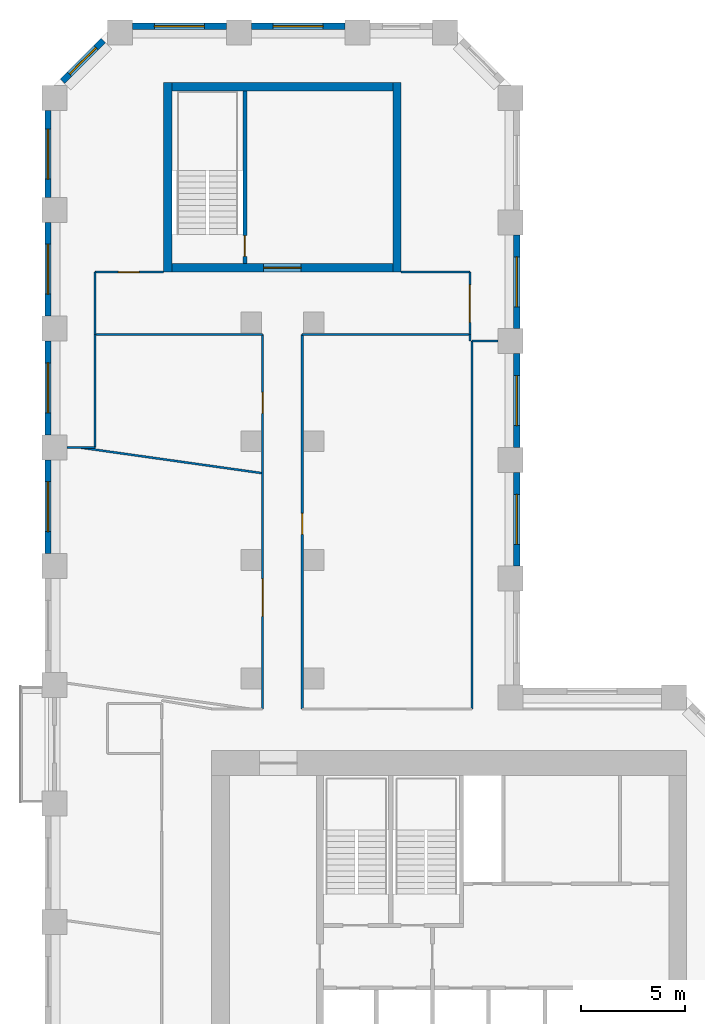
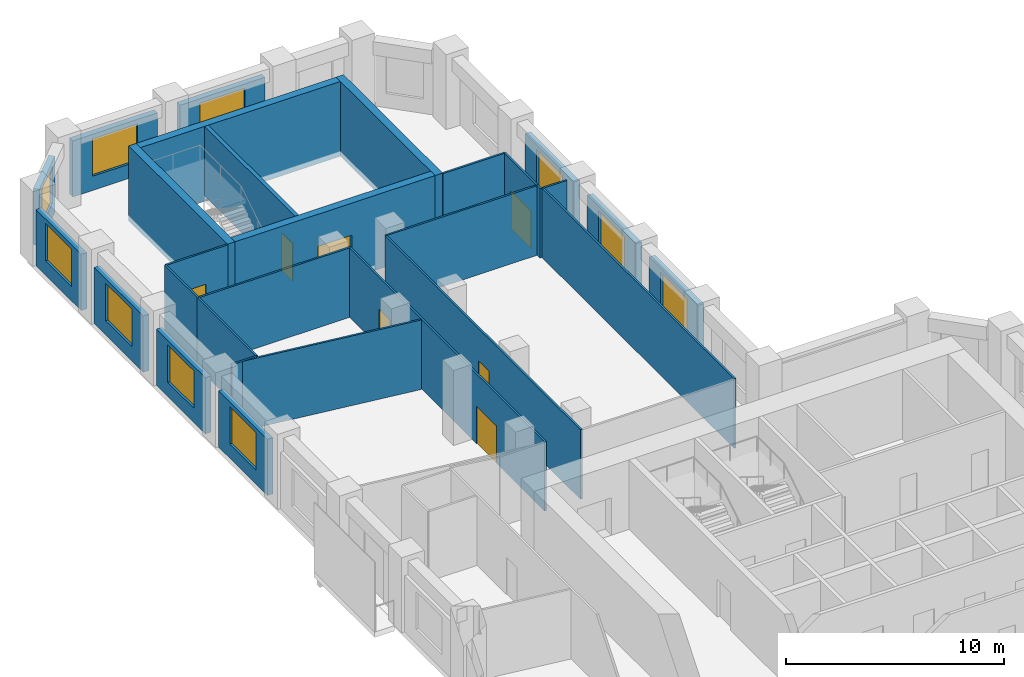
# One storey, part 8 of 10: 29 walls, 10 windows, 7 doors, 17 openings.
"""IFC4 building model written with IfcOpenShell, lengths in metres."""

from ifc_helpers import new_model, si_unit, direction, frame, frame_2d, origin, place, context, subcontext, project, spatial, rectangle, extrude, material, layer, layer_set, type_object, element, fill, save


model = new_model("IFC4")

# Units and contexts
model_context = context("Model", 3, precision=1e-05, world=origin(), true_north=direction((0.0, 1.0)))
body_context = subcontext(model_context, "Body", "Model", "MODEL_VIEW")
ifc_project = project(units=[si_unit("LENGTHUNIT", "METRE"), si_unit("AREAUNIT", "SQUARE_METRE"), si_unit("VOLUMEUNIT", "CUBIC_METRE"), si_unit("PLANEANGLEUNIT", "RADIAN"), si_unit("MASSUNIT", "GRAM", prefix="KILO")], contexts=[model_context])

# Site, building, storey
site_placement = place(None, origin())
site = spatial("IfcSite", under=ifc_project, at=site_placement, CompositionType="ELEMENT")
building_placement = place(site_placement, origin())
building = spatial("IfcBuilding", under=site, at=building_placement, Name="Meshkara Civic Tower", CompositionType="ELEMENT")
storey_placement = place(building_placement, frame((0.0, 0.0, 190.800048828125)))
storey = spatial("IfcBuildingStorey", under=building, at=storey_placement, Name="L43", CompositionType="ELEMENT", Elevation=190.800048828125)

# Walls
ifc_material_1 = material(Name="Corridor wall 100")
ifc_layer_1 = layer(ifc_material_1, 0.10009765625)
ifc_layer_set_1 = layer_set([ifc_layer_1], Name="Corridor wall 100")
wall_type_1 = type_object("IfcWallType", Name="Corridor wall 100", PredefinedType="PARTITIONING", material=ifc_layer_set_1)
wall_1_placement = place(storey_placement, frame((2.39990234375, 56.8701171875, 0.0), z_axis=(0.0, 0.0, 1.0), x_axis=(1.0, 0.0, 0.0)))
element("IfcWall", 1, at=wall_1_placement, inside=storey, type_object=wall_type_1, Name="L43-W001", PredefinedType="PARTITIONING", context=body_context, shape_type="SweptSolid", body=[
    extrude(rectangle(XDim=8.050048828125, YDim=0.10009765625, at=frame_2d((4.02490234375, 0.0))), origin(), (0.0, 0.0, 1.0), 3.89990234375),
])
wall_2_placement = place(storey_placement, frame((2.39990234375, 59.8701171875, 0.0), z_axis=(0.0, 0.0, 1.0), x_axis=(0.0, -1.0, 0.0)))
element("IfcWall", 2, at=wall_2_placement, inside=storey, type_object=wall_type_1, Name="L43-W002", PredefinedType="PARTITIONING", context=body_context, shape_type="SweptSolid", body=[
    extrude(rectangle(XDim=3.0, YDim=0.10009765625, at=frame_2d((1.5, 0.0))), origin(), (0.0, 0.0, 1.0), 3.89990234375),
])

# Wall, opening, door
wall_3_placement = place(storey_placement, frame((5.699951171875, 59.8701171875, 0.0), z_axis=(0.0, 0.0, 1.0), x_axis=(-1.0, 0.0, 0.0)))
wall_3 = element("IfcWall", 3, at=wall_3_placement, inside=storey, type_object=wall_type_1, Name="L43-W005", PredefinedType="PARTITIONING", context=body_context, shape_type="SweptSolid", body=[
    extrude(rectangle(XDim=3.300048828125, YDim=0.10009765625, at=frame_2d((1.64990234375, 0.0))), origin(), (0.0, 0.0, 1.0), 3.89990234375),
])
opening_1_placement = place(wall_3_placement, frame((1.179931640625, 0.0, 0.0)))
opening_1 = element("IfcOpeningElement", 4, at=opening_1_placement, cuts=wall_3, Name="Opening L43-D021", PredefinedType="OPENING", context=body_context, shape_type="SweptSolid", body=[
    extrude(rectangle(XDim=1.0, YDim=2.10009765625, at=frame_2d((0.5, 1.050048828125))), frame((0.0, 0.06005859375, 0.0), z_axis=(0.0, -1.0, 0.0), x_axis=(1.0, 0.0, 0.0)), (0.0, 0.0, 1.0), 0.1201171875),
])
ifc_material_2 = material(Name="Door 1000 x 2100")
door_type_1 = type_object("IfcDoorType", Name="Door 1000 x 2100", OperationType="SINGLE_SWING_LEFT", PredefinedType="DOOR", material=ifc_material_2)
door_1_placement = place(opening_1_placement, origin())
door_1 = element("IfcDoor", 5, at=door_1_placement, inside=storey, type_object=door_type_1, Name="L43-D021", OperationType="SINGLE_SWING_LEFT", OverallHeight=2.10009765625, OverallWidth=1.0, PredefinedType="DOOR", context=body_context, shape_type="SweptSolid", body=[
    extrude(rectangle(XDim=1.0, YDim=2.10009765625, at=frame_2d((0.5, 1.050048828125))), frame((0.0, 0.02490234375, 0.0), z_axis=(0.0, -1.0, 0.0), x_axis=(1.0, 0.0, 0.0)), (0.0, 0.0, 1.0), 0.050048828125),
])
fill(opening_1, door_1)

# Wall, openings, doors
wall_4_placement = place(storey_placement, frame((10.449951171875, 56.8701171875, 0.0), z_axis=(0.0, 0.0, 1.0), x_axis=(0.0, -1.0, 0.0)))
wall_4 = element("IfcWall", 6, at=wall_4_placement, inside=storey, type_object=wall_type_1, Name="L43-W013", PredefinedType="PARTITIONING", context=body_context, shape_type="SweptSolid", body=[
    extrude(rectangle(XDim=17.97021484375, YDim=0.10009765625, at=frame_2d((8.985107421875, 0.0))), origin(), (0.0, 0.0, 1.0), 3.89990234375),
])
opening_2_placement = place(wall_4_placement, frame((11.73095703125, 0.0, 0.0)))
opening_2 = element("IfcOpeningElement", 7, at=opening_2_placement, cuts=wall_4, Name="Opening L43-D018", PredefinedType="OPENING", context=body_context, shape_type="SweptSolid", body=[
    extrude(rectangle(XDim=1.800048828125, YDim=2.10009765625, at=frame_2d((0.89990234375, 1.050048828125))), frame((0.0, 0.06005859375, 0.0), z_axis=(0.0, -1.0, 0.0), x_axis=(1.0, 0.0, 0.0)), (0.0, 0.0, 1.0), 0.1201171875),
])
opening_3_placement = place(wall_4_placement, frame((2.780029296875, 0.0, 0.0)))
opening_3 = element("IfcOpeningElement", 8, at=opening_3_placement, cuts=wall_4, Name="Opening L43-D020", PredefinedType="OPENING", context=body_context, shape_type="SweptSolid", body=[
    extrude(rectangle(XDim=1.0, YDim=2.10009765625, at=frame_2d((0.5, 1.050048828125))), frame((0.0, 0.06005859375, 0.0), z_axis=(0.0, -1.0, 0.0), x_axis=(1.0, 0.0, 0.0)), (0.0, 0.0, 1.0), 0.1201171875),
])
door_2_placement = place(opening_3_placement, origin())
door_2 = element("IfcDoor", 9, at=door_2_placement, inside=storey, type_object=door_type_1, Name="L43-D020", OperationType="SINGLE_SWING_RIGHT", OverallHeight=2.10009765625, OverallWidth=1.0, PredefinedType="DOOR", context=body_context, shape_type="SweptSolid", body=[
    extrude(rectangle(XDim=1.0, YDim=2.10009765625, at=frame_2d((0.5, 1.050048828125))), frame((0.0, 0.02490234375, 0.0), z_axis=(0.0, -1.0, 0.0), x_axis=(1.0, 0.0, 0.0)), (0.0, 0.0, 1.0), 0.050048828125),
])
fill(opening_3, door_2)
ifc_material_3 = material(Name="Door pair 1800 x 2100")
door_type_2 = type_object("IfcDoorType", Name="Door pair 1800 x 2100", OperationType="SINGLE_SWING_LEFT", PredefinedType="DOOR", material=ifc_material_3)
door_3_placement = place(opening_2_placement, origin())
door_3 = element("IfcDoor", 10, at=door_3_placement, inside=storey, type_object=door_type_2, Name="L43-D018", OperationType="DOUBLE_DOOR_SINGLE_SWING", OverallHeight=2.10009765625, OverallWidth=1.800048828125, PredefinedType="DOOR", context=body_context, shape_type="SweptSolid", body=[
    extrude(rectangle(XDim=1.800048828125, YDim=2.10009765625, at=frame_2d((0.89990234375, 1.050048828125))), frame((0.0, 0.02490234375, 0.0), z_axis=(0.0, -1.0, 0.0), x_axis=(1.0, 0.0, 0.0)), (0.0, 0.0, 1.0), 0.050048828125),
])
fill(opening_2, door_3)

# Wall, opening, door
wall_5_placement = place(storey_placement, frame((12.35009765625, 38.89990234375, 0.0), z_axis=(0.0, 0.0, 1.0), x_axis=(0.0, 1.0, 0.0)))
wall_5 = element("IfcWall", 11, at=wall_5_placement, inside=storey, type_object=wall_type_1, Name="L43-W014", PredefinedType="PARTITIONING", context=body_context, shape_type="SweptSolid", body=[
    extrude(rectangle(XDim=17.97021484375, YDim=0.10009765625, at=frame_2d((8.985107421875, 0.0))), origin(), (0.0, 0.0, 1.0), 3.89990234375),
])
opening_4_placement = place(wall_5_placement, frame((8.3798828125, 0.0, 0.0)))
opening_4 = element("IfcOpeningElement", 12, at=opening_4_placement, cuts=wall_5, Name="Opening L43-D019", PredefinedType="OPENING", context=body_context, shape_type="SweptSolid", body=[
    extrude(rectangle(XDim=1.0, YDim=2.10009765625, at=frame_2d((0.5, 1.050048828125))), frame((0.0, 0.06005859375, 0.0), z_axis=(0.0, -1.0, 0.0), x_axis=(1.0, 0.0, 0.0)), (0.0, 0.0, 1.0), 0.1201171875),
])
door_4_placement = place(opening_4_placement, origin())
door_4 = element("IfcDoor", 13, at=door_4_placement, inside=storey, type_object=door_type_1, Name="L43-D019", OperationType="SINGLE_SWING_RIGHT", OverallHeight=2.10009765625, OverallWidth=1.0, PredefinedType="DOOR", context=body_context, shape_type="SweptSolid", body=[
    extrude(rectangle(XDim=1.0, YDim=2.10009765625, at=frame_2d((0.5, 1.050048828125))), frame((0.0, 0.02490234375, 0.0), z_axis=(0.0, -1.0, 0.0), x_axis=(1.0, 0.0, 0.0)), (0.0, 0.0, 1.0), 0.050048828125),
])
fill(opening_4, door_4)

# Wall
wall_6_placement = place(storey_placement, frame((12.35009765625, 56.8701171875, 0.0), z_axis=(0.0, 0.0, 1.0), x_axis=(1.0, 0.0, 0.0)))
element("IfcWall", 14, at=wall_6_placement, inside=storey, type_object=wall_type_1, Name="L43-W015", PredefinedType="PARTITIONING", context=body_context, shape_type="SweptSolid", body=[
    extrude(rectangle(XDim=8.0498046875, YDim=0.10009765625, at=frame_2d((4.02490234375, 0.0))), origin(), (0.0, 0.0, 1.0), 3.89990234375),
])

# Wall, opening, door
wall_7_placement = place(storey_placement, frame((20.39990234375, 56.8701171875, 0.0), z_axis=(0.0, 0.0, 1.0), x_axis=(0.0, 1.0, 0.0)))
wall_7 = element("IfcWall", 15, at=wall_7_placement, inside=storey, type_object=wall_type_1, Name="L43-W017", PredefinedType="PARTITIONING", context=body_context, shape_type="SweptSolid", body=[
    extrude(rectangle(XDim=3.0, YDim=0.10009765625, at=frame_2d((1.5, 0.0))), origin(), (0.0, 0.0, 1.0), 3.89990234375),
])
opening_5_placement = place(wall_7_placement, frame((0.580078125, 0.0, 0.0)))
opening_5 = element("IfcOpeningElement", 16, at=opening_5_placement, cuts=wall_7, Name="Opening L43-D022", PredefinedType="OPENING", context=body_context, shape_type="SweptSolid", body=[
    extrude(rectangle(XDim=1.800048828125, YDim=2.10009765625, at=frame_2d((0.89990234375, 1.050048828125))), frame((0.0, 0.06005859375, 0.0), z_axis=(0.0, -1.0, 0.0), x_axis=(1.0, 0.0, 0.0)), (0.0, 0.0, 1.0), 0.1201171875),
])
door_5_placement = place(opening_5_placement, origin())
door_5 = element("IfcDoor", 17, at=door_5_placement, inside=storey, type_object=door_type_2, Name="L43-D022", OperationType="DOUBLE_DOOR_SINGLE_SWING", OverallHeight=2.10009765625, OverallWidth=1.800048828125, PredefinedType="DOOR", context=body_context, shape_type="SweptSolid", body=[
    extrude(rectangle(XDim=1.800048828125, YDim=2.10009765625, at=frame_2d((0.89990234375, 1.050048828125))), frame((0.0, 0.02490234375, 0.0), z_axis=(0.0, -1.0, 0.0), x_axis=(1.0, 0.0, 0.0)), (0.0, 0.0, 1.0), 0.050048828125),
])
fill(opening_5, door_5)

# Walls
wall_8_placement = place(storey_placement, frame((20.39990234375, 59.8701171875, 0.0), z_axis=(0.0, 0.0, 1.0), x_axis=(-1.0, 0.0, 0.0)))
element("IfcWall", 18, at=wall_8_placement, inside=storey, type_object=wall_type_1, Name="L43-W018", PredefinedType="PARTITIONING", context=body_context, shape_type="SweptSolid", body=[
    extrude(rectangle(XDim=3.2998046875, YDim=0.10009765625, at=frame_2d((1.64990234375, 0.0))), origin(), (0.0, 0.0, 1.0), 3.89990234375),
])
wall_9_placement = place(storey_placement, frame((20.5, 56.550048828125, 0.0), z_axis=(0.0, 0.0, 1.0), x_axis=(0.0, -1.0, 0.0)))
element("IfcWall", 19, at=wall_9_placement, inside=storey, type_object=wall_type_1, Name="L43-W020", PredefinedType="PARTITIONING", context=body_context, shape_type="SweptSolid", body=[
    extrude(rectangle(XDim=17.650146484375, YDim=0.10009765625, at=frame_2d((8.8251953125, 0.0))), origin(), (0.0, 0.0, 1.0), 3.89990234375),
])
wall_10_placement = place(storey_placement, frame((21.75, 56.550048828125, 0.0), z_axis=(0.0, 0.0, 1.0), x_axis=(-1.0, 0.0, 0.0)))
element("IfcWall", 20, at=wall_10_placement, inside=storey, type_object=wall_type_1, Name="L43-W021", PredefinedType="PARTITIONING", context=body_context, shape_type="SweptSolid", body=[
    extrude(rectangle(XDim=1.25, YDim=0.10009765625, at=frame_2d((0.625, 0.0))), origin(), (0.0, 0.0, 1.0), 3.89990234375),
])

# Wall, opening, window
ifc_material_4 = material(Name="Insulated infill panel with bronze anodised aluminium cladding", Category="aluminium")
ifc_layer_2 = layer(ifc_material_4, 0.300048828125)
ifc_layer_set_2 = layer_set([ifc_layer_2], Name="EXTERNAL INFILL WALL 300")
wall_type_2 = type_object("IfcWallType", Name="EXTERNAL INFILL WALL 300", PredefinedType="SOLIDWALL", material=ifc_layer_set_2)
wall_11_placement = place(storey_placement, frame((22.64990234375, 45.75, 0.0), z_axis=(0.0, 0.0, 1.0), x_axis=(0.0, 1.0, 0.0)))
wall_11 = element("IfcWall", 21, at=wall_11_placement, inside=storey, type_object=wall_type_2, Name="External wall", PredefinedType="SOLIDWALL", context=body_context, shape_type="SweptSolid", body=[
    extrude(rectangle(XDim=4.5, YDim=0.300048828125, at=frame_2d((2.25, 0.0))), origin(), (0.0, 0.0, 1.0), 3.14990234375),
])
opening_6_placement = place(wall_11_placement, frame((1.050048828125, 0.0, 0.800048828125)))
opening_6 = element("IfcOpeningElement", 22, at=opening_6_placement, cuts=wall_11, Name="Opening W7", PredefinedType="OPENING", context=body_context, shape_type="SweptSolid", body=[
    extrude(rectangle(XDim=2.39990234375, YDim=2.10009765625, at=frame_2d((1.199951171875, 1.050048828125))), frame((0.0, 0.159912109375, 0.0), z_axis=(0.0, -1.0, 0.0), x_axis=(1.0, 0.0, 0.0)), (0.0, 0.0, 1.0), 0.320068359375),
])
ifc_material_5 = material(Name="Tinted double glazing", Category="glass")
window_type_1 = type_object("IfcWindowType", Name="WINDOW 2400x2100", PartitioningType="DOUBLE_PANEL_VERTICAL", PredefinedType="WINDOW", material=ifc_material_5)
window_1_placement = place(opening_6_placement, origin())
window_1 = element("IfcWindow", 23, at=window_1_placement, inside=storey, type_object=window_type_1, Name="Window", OverallHeight=2.10009765625, OverallWidth=2.39990234375, PartitioningType="DOUBLE_PANEL_VERTICAL", PredefinedType="WINDOW", context=body_context, shape_type="SweptSolid", body=[
    extrude(rectangle(XDim=2.39990234375, YDim=2.10009765625, at=frame_2d((1.199951171875, 1.050048828125))), frame((0.0, 0.030029296875, 0.0), z_axis=(0.0, -1.0, 0.0), x_axis=(1.0, 0.0, 0.0)), (0.0, 0.0, 1.0), 0.06005859375),
])
fill(opening_6, window_1)

wall_12_placement = place(storey_placement, frame((22.64990234375, 51.449951171875, 0.0), z_axis=(0.0, 0.0, 1.0), x_axis=(0.0, 1.0, 0.0)))
wall_12 = element("IfcWall", 24, at=wall_12_placement, inside=storey, type_object=wall_type_2, Name="External wall", PredefinedType="SOLIDWALL", context=body_context, shape_type="SweptSolid", body=[
    extrude(rectangle(XDim=4.5, YDim=0.300048828125, at=frame_2d((2.25, 0.0))), origin(), (0.0, 0.0, 1.0), 3.14990234375),
])
opening_7_placement = place(wall_12_placement, frame((1.050048828125, 0.0, 0.800048828125)))
opening_7 = element("IfcOpeningElement", 25, at=opening_7_placement, cuts=wall_12, Name="Opening W7", PredefinedType="OPENING", context=body_context, shape_type="SweptSolid", body=[
    extrude(rectangle(XDim=2.39990234375, YDim=2.10009765625, at=frame_2d((1.199951171875, 1.050048828125))), frame((0.0, 0.159912109375, 0.0), z_axis=(0.0, -1.0, 0.0), x_axis=(1.0, 0.0, 0.0)), (0.0, 0.0, 1.0), 0.320068359375),
])
window_2_placement = place(opening_7_placement, origin())
window_2 = element("IfcWindow", 26, at=window_2_placement, inside=storey, type_object=window_type_1, Name="Window", OverallHeight=2.10009765625, OverallWidth=2.39990234375, PartitioningType="DOUBLE_PANEL_VERTICAL", PredefinedType="WINDOW", context=body_context, shape_type="SweptSolid", body=[
    extrude(rectangle(XDim=2.39990234375, YDim=2.10009765625, at=frame_2d((1.199951171875, 1.050048828125))), frame((0.0, 0.030029296875, 0.0), z_axis=(0.0, -1.0, 0.0), x_axis=(1.0, 0.0, 0.0)), (0.0, 0.0, 1.0), 0.06005859375),
])
fill(opening_7, window_2)

wall_13_placement = place(storey_placement, frame((22.64990234375, 57.14990234375, 0.0), z_axis=(0.0, 0.0, 1.0), x_axis=(0.0, 1.0, 0.0)))
wall_13 = element("IfcWall", 27, at=wall_13_placement, inside=storey, type_object=wall_type_2, Name="External wall", PredefinedType="SOLIDWALL", context=body_context, shape_type="SweptSolid", body=[
    extrude(rectangle(XDim=4.5, YDim=0.300048828125, at=frame_2d((2.25, 0.0))), origin(), (0.0, 0.0, 1.0), 3.14990234375),
])
opening_8_placement = place(wall_13_placement, frame((1.050048828125, 0.0, 0.800048828125)))
opening_8 = element("IfcOpeningElement", 28, at=opening_8_placement, cuts=wall_13, Name="Opening W7", PredefinedType="OPENING", context=body_context, shape_type="SweptSolid", body=[
    extrude(rectangle(XDim=2.39990234375, YDim=2.10009765625, at=frame_2d((1.199951171875, 1.050048828125))), frame((0.0, 0.159912109375, 0.0), z_axis=(0.0, -1.0, 0.0), x_axis=(1.0, 0.0, 0.0)), (0.0, 0.0, 1.0), 0.320068359375),
])
window_3_placement = place(opening_8_placement, origin())
window_3 = element("IfcWindow", 29, at=window_3_placement, inside=storey, type_object=window_type_1, Name="Window", OverallHeight=2.10009765625, OverallWidth=2.39990234375, PartitioningType="DOUBLE_PANEL_VERTICAL", PredefinedType="WINDOW", context=body_context, shape_type="SweptSolid", body=[
    extrude(rectangle(XDim=2.39990234375, YDim=2.10009765625, at=frame_2d((1.199951171875, 1.050048828125))), frame((0.0, 0.030029296875, 0.0), z_axis=(0.0, -1.0, 0.0), x_axis=(1.0, 0.0, 0.0)), (0.0, 0.0, 1.0), 0.06005859375),
])
fill(opening_8, window_3)

wall_14_placement = place(storey_placement, frame((14.406005859375, 71.669921875, 0.0), z_axis=(0.0, 0.0, 1.0), x_axis=(-1.0, 0.0, 0.0)))
wall_14 = element("IfcWall", 30, at=wall_14_placement, inside=storey, type_object=wall_type_2, Name="External wall", PredefinedType="SOLIDWALL", context=body_context, shape_type="SweptSolid", body=[
    extrude(rectangle(XDim=4.5, YDim=0.300048828125, at=frame_2d((2.25, 0.0))), origin(), (0.0, 0.0, 1.0), 3.14990234375),
])
opening_9_placement = place(wall_14_placement, frame((1.050048828125, 0.0, 0.800048828125)))
opening_9 = element("IfcOpeningElement", 31, at=opening_9_placement, cuts=wall_14, Name="Opening W7", PredefinedType="OPENING", context=body_context, shape_type="SweptSolid", body=[
    extrude(rectangle(XDim=2.39990234375, YDim=2.10009765625, at=frame_2d((1.199951171875, 1.050048828125))), frame((0.0, 0.159912109375, 0.0), z_axis=(0.0, -1.0, 0.0), x_axis=(1.0, 0.0, 0.0)), (0.0, 0.0, 1.0), 0.320068359375),
])
window_4_placement = place(opening_9_placement, origin())
window_4 = element("IfcWindow", 32, at=window_4_placement, inside=storey, type_object=window_type_1, Name="Window", OverallHeight=2.10009765625, OverallWidth=2.39990234375, PartitioningType="DOUBLE_PANEL_VERTICAL", PredefinedType="WINDOW", context=body_context, shape_type="SweptSolid", body=[
    extrude(rectangle(XDim=2.39990234375, YDim=2.10009765625, at=frame_2d((1.199951171875, 1.050048828125))), frame((0.0, 0.030029296875, 0.0), z_axis=(0.0, -1.0, 0.0), x_axis=(1.0, 0.0, 0.0)), (0.0, 0.0, 1.0), 0.06005859375),
])
fill(opening_9, window_4)

wall_15_placement = place(storey_placement, frame((8.7060546875, 71.669921875, 0.0), z_axis=(0.0, 0.0, 1.0), x_axis=(-1.0, 0.0, 0.0)))
wall_15 = element("IfcWall", 33, at=wall_15_placement, inside=storey, type_object=wall_type_2, Name="External wall", PredefinedType="SOLIDWALL", context=body_context, shape_type="SweptSolid", body=[
    extrude(rectangle(XDim=4.5, YDim=0.300048828125, at=frame_2d((2.25, 0.0))), origin(), (0.0, 0.0, 1.0), 3.14990234375),
])
opening_10_placement = place(wall_15_placement, frame((1.050048828125, 0.0, 0.800048828125)))
opening_10 = element("IfcOpeningElement", 34, at=opening_10_placement, cuts=wall_15, Name="Opening W7", PredefinedType="OPENING", context=body_context, shape_type="SweptSolid", body=[
    extrude(rectangle(XDim=2.39990234375, YDim=2.10009765625, at=frame_2d((1.199951171875, 1.050048828125))), frame((0.0, 0.159912109375, 0.0), z_axis=(0.0, -1.0, 0.0), x_axis=(1.0, 0.0, 0.0)), (0.0, 0.0, 1.0), 0.320068359375),
])
window_5_placement = place(opening_10_placement, origin())
window_5 = element("IfcWindow", 35, at=window_5_placement, inside=storey, type_object=window_type_1, Name="Window", OverallHeight=2.10009765625, OverallWidth=2.39990234375, PartitioningType="DOUBLE_PANEL_VERTICAL", PredefinedType="WINDOW", context=body_context, shape_type="SweptSolid", body=[
    extrude(rectangle(XDim=2.39990234375, YDim=2.10009765625, at=frame_2d((1.199951171875, 1.050048828125))), frame((0.0, 0.030029296875, 0.0), z_axis=(0.0, -1.0, 0.0), x_axis=(1.0, 0.0, 0.0)), (0.0, 0.0, 1.0), 0.06005859375),
])
fill(opening_10, window_5)

wall_16_placement = place(storey_placement, frame((2.7939453125, 70.98193359375, 0.0), z_axis=(0.0, 0.0, 1.0), x_axis=(-0.707106781187, -0.707106781187, 0.0)))
wall_16 = element("IfcWall", 36, at=wall_16_placement, inside=storey, type_object=wall_type_2, Name="External wall", PredefinedType="SOLIDWALL", context=body_context, shape_type="SweptSolid", body=[
    extrude(rectangle(XDim=2.766357421875, YDim=0.300048828125, at=frame_2d((1.38330078125, 0.0))), origin(), (0.0, 0.0, 1.0), 3.14990234375),
])
opening_11_placement = place(wall_16_placement, frame((0.48291015625, 0.0, 0.800048828125)))
opening_11 = element("IfcOpeningElement", 37, at=opening_11_placement, cuts=wall_16, Name="Opening W9", PredefinedType="OPENING", context=body_context, shape_type="SweptSolid", body=[
    extrude(rectangle(XDim=1.800048828125, YDim=2.10009765625, at=frame_2d((0.89990234375, 1.050048828125))), frame((0.0, 0.159912109375, 0.0), z_axis=(0.0, -1.0, 0.0), x_axis=(1.0, 0.0, 0.0)), (0.0, 0.0, 1.0), 0.320068359375),
])
ifc_material_6 = material(Name="Tinted double glazing", Category="glass")
window_type_2 = type_object("IfcWindowType", Name="WINDOW 1800x2100", PartitioningType="DOUBLE_PANEL_VERTICAL", PredefinedType="WINDOW", material=ifc_material_6)
window_6_placement = place(opening_11_placement, origin())
window_6 = element("IfcWindow", 38, at=window_6_placement, inside=storey, type_object=window_type_2, Name="Window", OverallHeight=2.10009765625, OverallWidth=1.800048828125, PartitioningType="DOUBLE_PANEL_VERTICAL", PredefinedType="WINDOW", context=body_context, shape_type="SweptSolid", body=[
    extrude(rectangle(XDim=1.800048828125, YDim=2.10009765625, at=frame_2d((0.89990234375, 1.050048828125))), frame((0.0, 0.030029296875, 0.0), z_axis=(0.0, -1.0, 0.0), x_axis=(1.0, 0.0, 0.0)), (0.0, 0.0, 1.0), 0.06005859375),
])
fill(opening_11, window_6)

wall_17_placement = place(storey_placement, frame((0.14990234375, 67.614013671875, 0.0), z_axis=(0.0, 0.0, 1.0), x_axis=(0.0, -1.0, 0.0)))
wall_17 = element("IfcWall", 39, at=wall_17_placement, inside=storey, type_object=wall_type_2, Name="External wall", PredefinedType="SOLIDWALL", context=body_context, shape_type="SweptSolid", body=[
    extrude(rectangle(XDim=4.158935546875, YDim=0.300048828125, at=frame_2d((2.07958984375, 0.0))), origin(), (0.0, 0.0, 1.0), 3.14990234375),
])
opening_12_placement = place(wall_17_placement, frame((0.8798828125, 0.0, 0.800048828125)))
opening_12 = element("IfcOpeningElement", 40, at=opening_12_placement, cuts=wall_17, Name="Opening W7", PredefinedType="OPENING", context=body_context, shape_type="SweptSolid", body=[
    extrude(rectangle(XDim=2.39990234375, YDim=2.10009765625, at=frame_2d((1.199951171875, 1.050048828125))), frame((0.0, 0.159912109375, 0.0), z_axis=(0.0, -1.0, 0.0), x_axis=(1.0, 0.0, 0.0)), (0.0, 0.0, 1.0), 0.320068359375),
])
window_7_placement = place(opening_12_placement, origin())
window_7 = element("IfcWindow", 41, at=window_7_placement, inside=storey, type_object=window_type_1, Name="Window", OverallHeight=2.10009765625, OverallWidth=2.39990234375, PartitioningType="DOUBLE_PANEL_VERTICAL", PredefinedType="WINDOW", context=body_context, shape_type="SweptSolid", body=[
    extrude(rectangle(XDim=2.39990234375, YDim=2.10009765625, at=frame_2d((1.199951171875, 1.050048828125))), frame((0.0, 0.030029296875, 0.0), z_axis=(0.0, -1.0, 0.0), x_axis=(1.0, 0.0, 0.0)), (0.0, 0.0, 1.0), 0.06005859375),
])
fill(opening_12, window_7)

wall_18_placement = place(storey_placement, frame((0.14990234375, 62.2548828125, 0.0), z_axis=(0.0, 0.0, 1.0), x_axis=(0.0, -1.0, 0.0)))
wall_18 = element("IfcWall", 42, at=wall_18_placement, inside=storey, type_object=wall_type_2, Name="External wall", PredefinedType="SOLIDWALL", context=body_context, shape_type="SweptSolid", body=[
    extrude(rectangle(XDim=4.5, YDim=0.300048828125, at=frame_2d((2.25, 0.0))), origin(), (0.0, 0.0, 1.0), 3.14990234375),
])
opening_13_placement = place(wall_18_placement, frame((1.050048828125, 0.0, 0.800048828125)))
opening_13 = element("IfcOpeningElement", 43, at=opening_13_placement, cuts=wall_18, Name="Opening W7", PredefinedType="OPENING", context=body_context, shape_type="SweptSolid", body=[
    extrude(rectangle(XDim=2.39990234375, YDim=2.10009765625, at=frame_2d((1.199951171875, 1.050048828125))), frame((0.0, 0.159912109375, 0.0), z_axis=(0.0, -1.0, 0.0), x_axis=(1.0, 0.0, 0.0)), (0.0, 0.0, 1.0), 0.320068359375),
])
window_8_placement = place(opening_13_placement, origin())
window_8 = element("IfcWindow", 44, at=window_8_placement, inside=storey, type_object=window_type_1, Name="Window", OverallHeight=2.10009765625, OverallWidth=2.39990234375, PartitioningType="DOUBLE_PANEL_VERTICAL", PredefinedType="WINDOW", context=body_context, shape_type="SweptSolid", body=[
    extrude(rectangle(XDim=2.39990234375, YDim=2.10009765625, at=frame_2d((1.199951171875, 1.050048828125))), frame((0.0, 0.030029296875, 0.0), z_axis=(0.0, -1.0, 0.0), x_axis=(1.0, 0.0, 0.0)), (0.0, 0.0, 1.0), 0.06005859375),
])
fill(opening_13, window_8)

wall_19_placement = place(storey_placement, frame((0.14990234375, 56.554931640625, 0.0), z_axis=(0.0, 0.0, 1.0), x_axis=(0.0, -1.0, 0.0)))
wall_19 = element("IfcWall", 45, at=wall_19_placement, inside=storey, type_object=wall_type_2, Name="External wall", PredefinedType="SOLIDWALL", context=body_context, shape_type="SweptSolid", body=[
    extrude(rectangle(XDim=4.5, YDim=0.300048828125, at=frame_2d((2.25, 0.0))), origin(), (0.0, 0.0, 1.0), 3.14990234375),
])
opening_14_placement = place(wall_19_placement, frame((1.050048828125, 0.0, 0.800048828125)))
opening_14 = element("IfcOpeningElement", 46, at=opening_14_placement, cuts=wall_19, Name="Opening W7", PredefinedType="OPENING", context=body_context, shape_type="SweptSolid", body=[
    extrude(rectangle(XDim=2.39990234375, YDim=2.10009765625, at=frame_2d((1.199951171875, 1.050048828125))), frame((0.0, 0.159912109375, 0.0), z_axis=(0.0, -1.0, 0.0), x_axis=(1.0, 0.0, 0.0)), (0.0, 0.0, 1.0), 0.320068359375),
])
window_9_placement = place(opening_14_placement, origin())
window_9 = element("IfcWindow", 47, at=window_9_placement, inside=storey, type_object=window_type_1, Name="Window", OverallHeight=2.10009765625, OverallWidth=2.39990234375, PartitioningType="DOUBLE_PANEL_VERTICAL", PredefinedType="WINDOW", context=body_context, shape_type="SweptSolid", body=[
    extrude(rectangle(XDim=2.39990234375, YDim=2.10009765625, at=frame_2d((1.199951171875, 1.050048828125))), frame((0.0, 0.030029296875, 0.0), z_axis=(0.0, -1.0, 0.0), x_axis=(1.0, 0.0, 0.0)), (0.0, 0.0, 1.0), 0.06005859375),
])
fill(opening_14, window_9)

wall_20_placement = place(storey_placement, frame((0.14990234375, 50.85498046875, 0.0), z_axis=(0.0, 0.0, 1.0), x_axis=(0.0, -1.0, 0.0)))
wall_20 = element("IfcWall", 48, at=wall_20_placement, inside=storey, type_object=wall_type_2, Name="External wall", PredefinedType="SOLIDWALL", context=body_context, shape_type="SweptSolid", body=[
    extrude(rectangle(XDim=4.5, YDim=0.300048828125, at=frame_2d((2.25, 0.0))), origin(), (0.0, 0.0, 1.0), 3.14990234375),
])
opening_15_placement = place(wall_20_placement, frame((1.050048828125, 0.0, 0.800048828125)))
opening_15 = element("IfcOpeningElement", 49, at=opening_15_placement, cuts=wall_20, Name="Opening W7", PredefinedType="OPENING", context=body_context, shape_type="SweptSolid", body=[
    extrude(rectangle(XDim=2.39990234375, YDim=2.10009765625, at=frame_2d((1.199951171875, 1.050048828125))), frame((0.0, 0.159912109375, 0.0), z_axis=(0.0, -1.0, 0.0), x_axis=(1.0, 0.0, 0.0)), (0.0, 0.0, 1.0), 0.320068359375),
])
window_10_placement = place(opening_15_placement, origin())
window_10 = element("IfcWindow", 50, at=window_10_placement, inside=storey, type_object=window_type_1, Name="Window", OverallHeight=2.10009765625, OverallWidth=2.39990234375, PartitioningType="DOUBLE_PANEL_VERTICAL", PredefinedType="WINDOW", context=body_context, shape_type="SweptSolid", body=[
    extrude(rectangle(XDim=2.39990234375, YDim=2.10009765625, at=frame_2d((1.199951171875, 1.050048828125))), frame((0.0, 0.030029296875, 0.0), z_axis=(0.0, -1.0, 0.0), x_axis=(1.0, 0.0, 0.0)), (0.0, 0.0, 1.0), 0.06005859375),
])
fill(opening_15, window_10)

# Walls
ifc_material_7 = material(Name="Concrete C70", Category="concrete")
ifc_layer_3 = layer(ifc_material_7, 0.39990234375)
ifc_layer_set_3 = layer_set([ifc_layer_3], Name="End core ring wall 400 C70")
wall_type_3 = type_object("IfcWallType", Name="End core ring wall 400 C70", PredefinedType="SHEAR", material=ifc_layer_set_3)
for number, where, z_axis, x_axis, name in (
    (51, (5.89990234375, 59.8701171875, -0.300048828125), (0.0, 0.0, 1.0), (0.0, 1.0, 0.0), "L43-C023"),
    (52, (16.89990234375, 59.8701171875, -0.300048828125), (0.0, 0.0, 1.0), (0.0, 1.0, 0.0), "L43-C024"),
):
    element("IfcWall", number, at=place(storey_placement, frame(where, z_axis=z_axis, x_axis=x_axis)), inside=storey, type_object=wall_type_3, Name=name, PredefinedType="SHEAR", context=body_context, shape_type="SweptSolid", body=[
        extrude(rectangle(XDim=9.099853515625, YDim=0.39990234375, at=frame_2d((4.5498046875, 0.0))), origin(), (0.0, 0.0, 1.0), 4.199951171875),
    ])

# Wall, opening, door
wall_21_placement = place(storey_placement, frame((6.10009765625, 60.070068359375, -0.300048828125), z_axis=(0.0, 0.0, 1.0), x_axis=(1.0, 0.0, 0.0)))
wall_21 = element("IfcWall", 53, at=wall_21_placement, inside=storey, type_object=wall_type_3, Name="L43-C025", PredefinedType="SHEAR", context=body_context, shape_type="SweptSolid", body=[
    extrude(rectangle(XDim=10.599853515625, YDim=0.39990234375, at=frame_2d((5.2998046875, 0.0))), origin(), (0.0, 0.0, 1.0), 4.199951171875),
])
opening_16_placement = place(wall_21_placement, frame((4.39990234375, 0.0, 0.300048828125)))
opening_16 = element("IfcOpeningElement", 54, at=opening_16_placement, cuts=wall_21, Name="Opening L43-K102", PredefinedType="OPENING", context=body_context, shape_type="SweptSolid", body=[
    extrude(rectangle(XDim=1.800048828125, YDim=2.10009765625, at=frame_2d((0.89990234375, 1.050048828125))), frame((0.0, 0.2099609375, 0.0), z_axis=(0.0, -1.0, 0.0), x_axis=(1.0, 0.0, 0.0)), (0.0, 0.0, 1.0), 0.419921875),
])
ifc_material_8 = material(Name="Fire-rated door leaf in steel frame", Category="steel")
door_type_3 = type_object("IfcDoorType", Name="Core double door 1800 EI 60", OperationType="DOUBLE_DOOR_SINGLE_SWING", PredefinedType="DOOR", material=ifc_material_8)
door_6_placement = place(opening_16_placement, origin())
door_6 = element("IfcDoor", 55, at=door_6_placement, inside=storey, type_object=door_type_3, Name="L43-K102", OperationType="DOUBLE_DOOR_SINGLE_SWING", OverallHeight=2.10009765625, OverallWidth=1.800048828125, PredefinedType="DOOR", context=body_context, shape_type="SweptSolid", body=[
    extrude(rectangle(XDim=1.800048828125, YDim=2.10009765625, at=frame_2d((0.89990234375, 1.050048828125))), frame((0.0, 0.02490234375, 0.0), z_axis=(0.0, -1.0, 0.0), x_axis=(1.0, 0.0, 0.0)), (0.0, 0.0, 1.0), 0.050048828125),
])
fill(opening_16, door_6)

# Walls
wall_22_placement = place(storey_placement, frame((6.10009765625, 68.77001953125, -0.300048828125), z_axis=(0.0, 0.0, 1.0), x_axis=(1.0, 0.0, 0.0)))
element("IfcWall", 56, at=wall_22_placement, inside=storey, type_object=wall_type_3, Name="L43-C026", PredefinedType="SHEAR", context=body_context, shape_type="SweptSolid", body=[
    extrude(rectangle(XDim=10.599853515625, YDim=0.39990234375, at=frame_2d((5.2998046875, 0.0))), origin(), (0.0, 0.0, 1.0), 4.199951171875),
])
ifc_material_9 = material(Name="Partition 100")
ifc_layer_4 = layer(ifc_material_9, 0.10009765625)
ifc_layer_set_4 = layer_set([ifc_layer_4], Name="Partition 100")
wall_type_4 = type_object("IfcWallType", Name="Partition 100", PredefinedType="PARTITIONING", material=ifc_layer_set_4)
wall_23_placement = place(storey_placement, frame((1.050048828125, 51.455078125, 0.0), z_axis=(0.0, 0.0, 1.0), x_axis=(1.0, 0.0, 0.0)))
element("IfcWall", 57, at=wall_23_placement, inside=storey, type_object=wall_type_4, Name="L43-W041", PredefinedType="PARTITIONING", context=body_context, shape_type="SweptSolid", body=[
    extrude(rectangle(XDim=1.349853515625, YDim=0.10009765625, at=frame_2d((0.6748046875, 0.0))), origin(), (0.0, 0.0, 1.0), 3.89990234375),
])
wall_24_placement = place(storey_placement, frame((2.39990234375, 51.455078125, 0.0), z_axis=(0.0, 0.0, 1.0), x_axis=(0.0, 1.0, 0.0)))
element("IfcWall", 58, at=wall_24_placement, inside=storey, type_object=wall_type_4, Name="L43-W042", PredefinedType="PARTITIONING", context=body_context, shape_type="SweptSolid", body=[
    extrude(rectangle(XDim=5.4189453125, YDim=0.10009765625, at=frame_2d((2.70947265625, 0.0))), origin(), (0.0, 0.0, 1.0), 3.89990234375),
])
wall_25_placement = place(storey_placement, frame((10.39306640625, 50.218994140625, 0.0), z_axis=(0.0, 0.0, 1.0), x_axis=(-0.99025894891, 0.139237976514, 0.0)))
element("IfcWall", 59, at=wall_25_placement, inside=storey, type_object=wall_type_4, Name="L43-W050", PredefinedType="PARTITIONING", context=body_context, shape_type="SweptSolid", body=[
    extrude(rectangle(XDim=8.87744140625, YDim=0.10009765625, at=frame_2d((4.438720703125, 0.0))), origin(), (0.0, 0.0, 1.0), 3.89990234375),
])
wall_26_placement = place(storey_placement, frame((20.39990234375, 56.550048828125, 0.0), z_axis=(0.0, 0.0, 1.0), x_axis=(0.0, 1.0, 0.0)))
element("IfcWall", 60, at=wall_26_placement, inside=storey, type_object=wall_type_4, Name="L43-W052", PredefinedType="PARTITIONING", context=body_context, shape_type="SweptSolid", body=[
    extrude(rectangle(XDim=0.323974609375, YDim=0.10009765625, at=frame_2d((0.162109375, 0.0))), origin(), (0.0, 0.0, 1.0), 3.89990234375),
])

# Wall, opening, door
ifc_material_10 = material(Name="Concrete C40/50", Category="concrete")
ifc_layer_5 = layer(ifc_material_10, 0.199951171875)
ifc_layer_set_5 = layer_set([ifc_layer_5], Name="Stair enclosure wall 200 C40/50")
wall_type_5 = type_object("IfcWallType", Name="Stair enclosure wall 200 C40/50", PredefinedType="SOLIDWALL", material=ifc_layer_set_5)
wall_27_placement = place(storey_placement, frame((9.60009765625, 60.27001953125, 0.0), z_axis=(0.0, 0.0, 1.0), x_axis=(0.0, 1.0, 0.0)))
wall_27 = element("IfcWall", 61, at=wall_27_placement, inside=storey, type_object=wall_type_5, Name="L43-C027", PredefinedType="SOLIDWALL", context=body_context, shape_type="SweptSolid", body=[
    extrude(rectangle(XDim=8.300048828125, YDim=0.199951171875, at=frame_2d((4.14990234375, 0.0))), origin(), (0.0, 0.0, 1.0), 3.89990234375),
])
opening_17_placement = place(wall_27_placement, frame((0.35009765625, 0.0, 0.0)))
opening_17 = element("IfcOpeningElement", 62, at=opening_17_placement, cuts=wall_27, Name="Opening L43-K101", PredefinedType="OPENING", context=body_context, shape_type="SweptSolid", body=[
    extrude(rectangle(XDim=1.0, YDim=2.10009765625, at=frame_2d((0.5, 1.050048828125))), frame((0.0, 0.10986328125, 0.0), z_axis=(0.0, -1.0, 0.0), x_axis=(1.0, 0.0, 0.0)), (0.0, 0.0, 1.0), 0.219970703125),
])
ifc_material_11 = material(Name="Fire-rated door leaf in steel frame", Category="steel")
door_type_4 = type_object("IfcDoorType", Name="Stair door 1000 EI 120", OperationType="SINGLE_SWING_LEFT", PredefinedType="DOOR", material=ifc_material_11)
door_7_placement = place(opening_17_placement, origin())
door_7 = element("IfcDoor", 63, at=door_7_placement, inside=storey, type_object=door_type_4, Name="L43-K101", OperationType="SINGLE_SWING_RIGHT", OverallHeight=2.10009765625, OverallWidth=1.0, PredefinedType="DOOR", context=body_context, shape_type="SweptSolid", body=[
    extrude(rectangle(XDim=1.0, YDim=2.10009765625, at=frame_2d((0.5, 1.050048828125))), frame((0.0, 0.02490234375, 0.0), z_axis=(0.0, -1.0, 0.0), x_axis=(1.0, 0.0, 0.0)), (0.0, 0.0, 1.0), 0.050048828125),
])
fill(opening_17, door_7)

save(model, "model.ifc")
